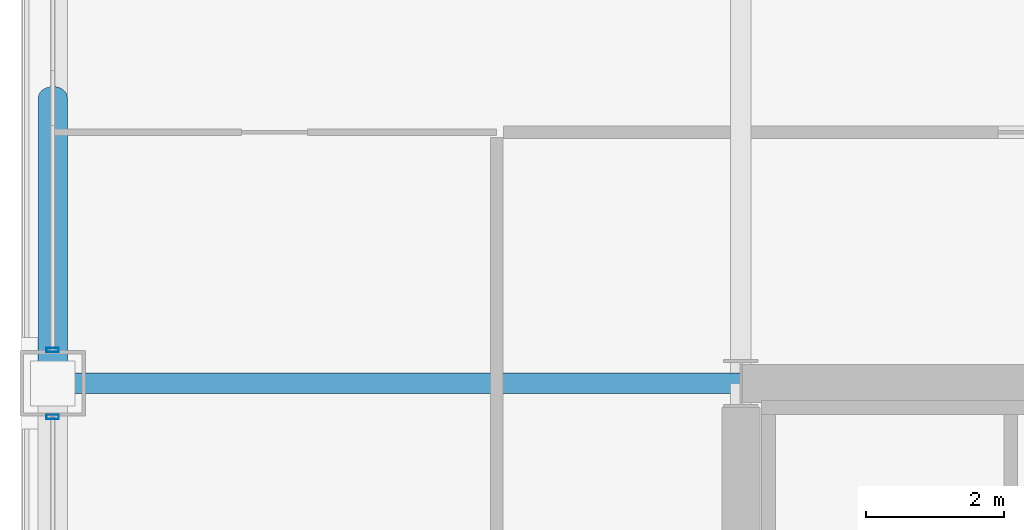
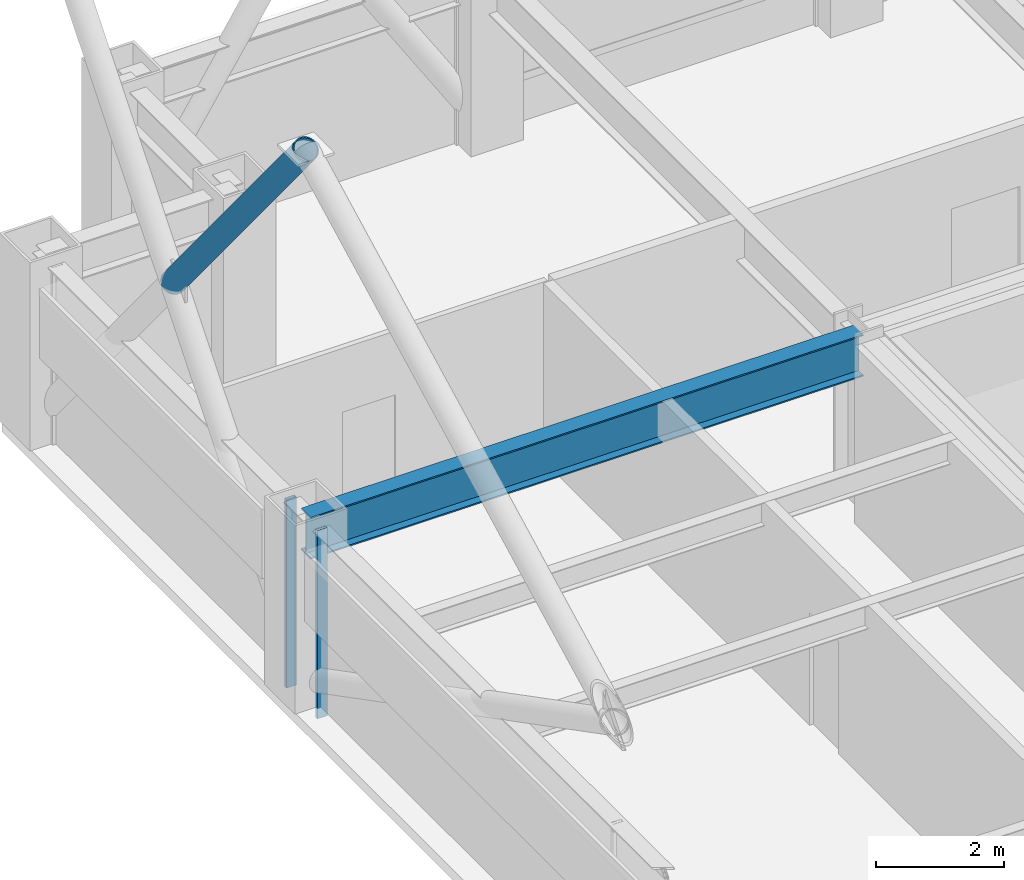
# One storey, part 16 of 33: 3 members, 1 beam, 2 elements without a shape of their own.
"""IFC4 building model written with IfcOpenShell, lengths in metres."""

from ifc_helpers import new_model, si_unit, direction, frame, origin, origin_2d, place, context, subcontext, project, spatial, hollow_rectangle, hollow_circle, i_section, extrude, material, layer, layer_set, material_profile, profile_set, type_object, element, aggregate, save


model = new_model("IFC4")

# Units and contexts
model_context = context("Model", 3, precision=1e-05, world=origin(), true_north=direction((0.0, 1.0)))
body_context = subcontext(model_context, "Body", "Model", "MODEL_VIEW")
ifc_project = project(units=[si_unit("LENGTHUNIT", "METRE"), si_unit("AREAUNIT", "SQUARE_METRE"), si_unit("VOLUMEUNIT", "CUBIC_METRE"), si_unit("PLANEANGLEUNIT", "RADIAN"), si_unit("MASSUNIT", "GRAM", prefix="KILO")], contexts=[model_context])

# Site, building, storey
site_placement = place(None, origin())
site = spatial("IfcSite", under=ifc_project, at=site_placement, CompositionType="ELEMENT")
building_placement = place(site_placement, origin())
building = spatial("IfcBuilding", under=site, at=building_placement, Name="Brelmoor Portico Tower", CompositionType="ELEMENT")
storey_placement = place(building_placement, frame((0.0, 0.0, 34.800048828125)))
storey = spatial("IfcBuildingStorey", under=building, at=storey_placement, Name="L08", CompositionType="ELEMENT", Elevation=34.800048828125)

# Beam
ifc_material_1 = material(Name="Steel Q355B", Category="steel")
ifc_material_profile_1 = material_profile(ifc_material_1, i_section(OverallWidth=0.300048828125, OverallDepth=0.800048828125, WebThickness=0.013916015625, FlangeThickness=0.02587890625, at=origin_2d()), Name="HN 800x300x14x26")
ifc_profile_set_1 = profile_set([ifc_material_profile_1], Name="Steel Q355B")
beam_type = type_object("IfcBeamType", Name="BM-PG-800", PredefinedType="BEAM", material=ifc_profile_set_1)
beam_placement = place(storey_placement, frame((-24.550048828125, 9.75, 3.0), z_axis=(1.0, 0.0, 0.0), x_axis=(0.0, 1.0, 0.0)))
element("IfcBeam", 1, at=beam_placement, inside=storey, type_object=beam_type, Name="L08 Primary Floor Girder PG-27", PredefinedType="BEAM", context=body_context, shape_type="SweptSolid", body=[
    extrude(i_section(OverallWidth=0.300048828125, OverallDepth=0.800048828125, WebThickness=0.013916015625, FlangeThickness=0.02587890625, at=origin_2d()), origin(), (0.0, 0.0, 1.0), 10.0),
])

# Member
ifc_material_profile_2 = material_profile(ifc_material_1, hollow_circle(Radius=0.212890625, WallThickness=0.02001953125, at=origin_2d()), Name="CHS 426x20")
ifc_profile_set_2 = profile_set([ifc_material_profile_2], Name="Steel Q355B")
member_type_1 = type_object("IfcMemberType", Name="MB-BELT-DIAG1", PredefinedType="BRACE", material=ifc_profile_set_2)
member_1_placement = place(storey_placement, frame((-24.550048828125, 13.89990234375, 5.300048828125), z_axis=(0.0, -0.634908274247, 0.772587524681), x_axis=(1.0, 0.0, 0.0)))
element("IfcMember", 2, at=member_1_placement, inside=storey, type_object=member_type_1, Name="L08 Split Mega-X Brace 015B2", PredefinedType="BRACE", context=body_context, shape_type="SweptSolid", body=[
    extrude(hollow_circle(Radius=0.212890625, WallThickness=0.02001953125, at=origin_2d()), origin(), (0.0, 0.0, 1.0), 6.5361328125),
])

# Curtain wall, member
ifc_material_2 = material(Name="Anodised Aluminium Alloy 6063-T6", Category="aluminium")
ifc_layer = layer(ifc_material_2, 0.179931640625)
ifc_layer_set = layer_set([ifc_layer], Name="Anodised Aluminium Alloy 6063-T6")
curtain_wall_type = type_object("IfcCurtainWallType", Name="CW-TOWER-Z1-XB", PredefinedType="NOTDEFINED", material=ifc_layer_set)
curtain_wall_1_placement = place(storey_placement, origin())
curtain_wall_1 = element("IfcCurtainWall", 3, at=curtain_wall_1_placement, inside=storey, type_object=curtain_wall_type, Name="L08 Curtain Wall CW-L08-03-2", PredefinedType="NOTDEFINED")
ifc_material_profile_3 = material_profile(ifc_material_2, hollow_rectangle(XDim=0.06494140625, YDim=0.179931640625, WallThickness=0.00390625, at=origin_2d()), Name="ALU MULLION 65x180")
ifc_profile_set_3 = profile_set([ifc_material_profile_3], Name="Anodised Aluminium Alloy 6063-T6")
member_type_2 = type_object("IfcMemberType", Name="MB-CW-MULL-180", PredefinedType="MULLION", material=ifc_profile_set_3)
member_2_placement = place(storey_placement, frame((-24.550048828125, 9.264892578125, -0.199951171875), z_axis=(0.0, 0.0, 1.0), x_axis=(0.0, 1.0, 0.0)))
member_2 = element("IfcMember", 4, at=member_2_placement, type_object=member_type_2, Name="CW-L08-03-2 Mullion 02", PredefinedType="MULLION", context=body_context, shape_type="SweptSolid", body=[
    extrude(hollow_rectangle(XDim=0.06494140625, YDim=0.179931640625, WallThickness=0.00390625, at=origin_2d()), origin(), (0.0, 0.0, 1.0), 3.599853515625),
])
aggregate(curtain_wall_1, [member_2])

curtain_wall_2_placement = place(storey_placement, origin())
curtain_wall_2 = element("IfcCurtainWall", 5, at=curtain_wall_2_placement, inside=storey, type_object=curtain_wall_type, Name="L08 Curtain Wall CW-L08-03-3", PredefinedType="NOTDEFINED")
member_3_placement = place(storey_placement, frame((-24.550048828125, 10.235107421875, -0.199951171875), z_axis=(0.0, 0.0, 1.0), x_axis=(0.0, 1.0, 0.0)))
member_3 = element("IfcMember", 6, at=member_3_placement, type_object=member_type_2, Name="CW-L08-03-3 Mullion 00", PredefinedType="MULLION", context=body_context, shape_type="SweptSolid", body=[
    extrude(hollow_rectangle(XDim=0.06494140625, YDim=0.179931640625, WallThickness=0.00390625, at=origin_2d()), origin(), (0.0, 0.0, 1.0), 3.599853515625),
])
aggregate(curtain_wall_2, [member_3])

save(model, "model.ifc")
